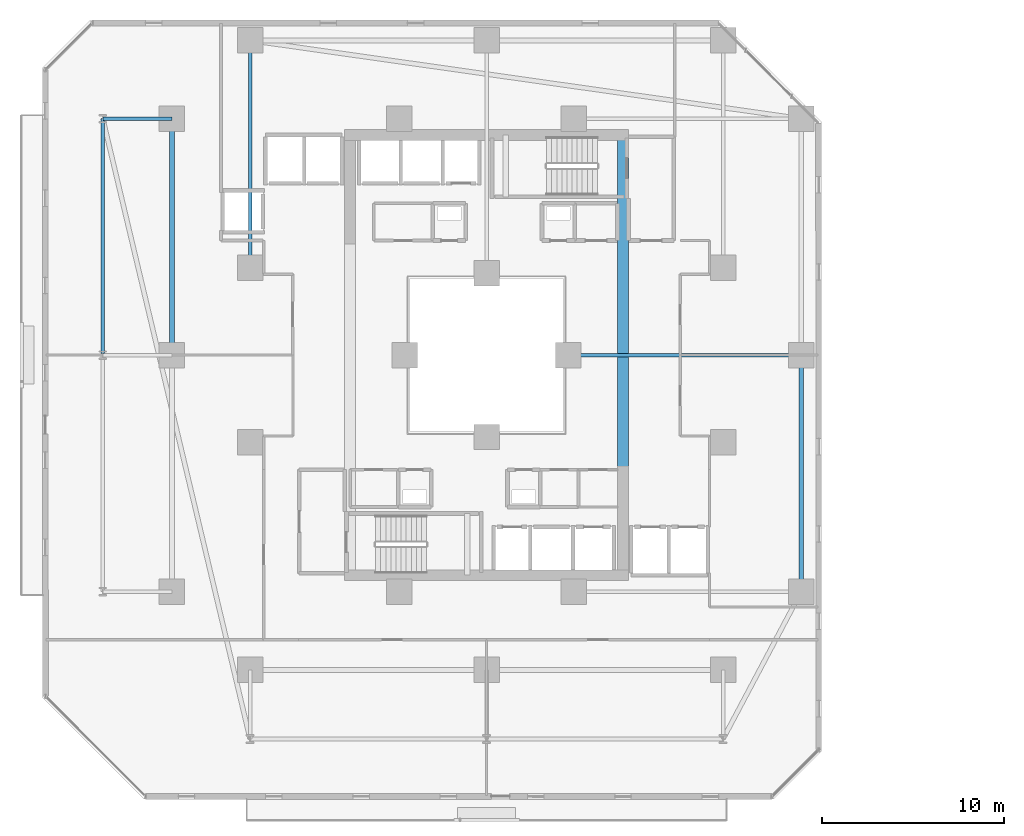
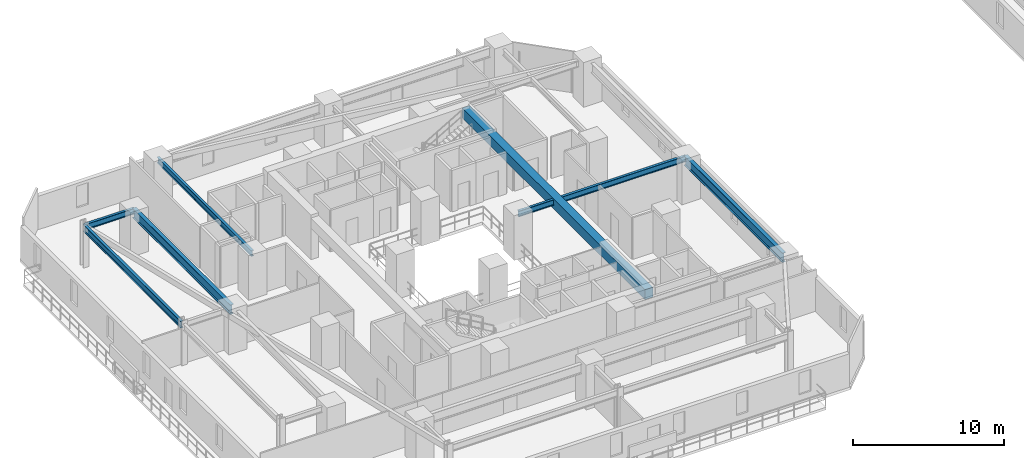
# One storey, part 6 of 33: 7 beams.
"""IFC4 building model written with IfcOpenShell, lengths in metres."""

from ifc_helpers import new_model, si_unit, direction, frame, origin, origin_2d, place, context, subcontext, project, spatial, rectangle, i_section, extrude, material, material_profile, profile_set, type_object, element, save


model = new_model("IFC4")

# Units and contexts
model_context = context("Model", 3, precision=1e-05, world=origin(), true_north=direction((0.0, 1.0)))
body_context = subcontext(model_context, "Body", "Model", "MODEL_VIEW")
ifc_project = project(units=[si_unit("LENGTHUNIT", "METRE"), si_unit("AREAUNIT", "SQUARE_METRE"), si_unit("VOLUMEUNIT", "CUBIC_METRE"), si_unit("PLANEANGLEUNIT", "RADIAN"), si_unit("MASSUNIT", "GRAM", prefix="KILO")], contexts=[model_context])

# Site, building, storey
site_placement = place(None, origin())
site = spatial("IfcSite", under=ifc_project, at=site_placement, CompositionType="ELEMENT")
building_placement = place(site_placement, origin())
building = spatial("IfcBuilding", under=site, at=building_placement, Name="Thornwick Lancets Civic Towers", CompositionType="ELEMENT")
storey_placement = place(building_placement, frame((0.0, 0.0, 35.10009765625)))
storey = spatial("IfcBuildingStorey", under=building, at=storey_placement, Name="L08", CompositionType="ELEMENT", Elevation=35.10009765625)

# Beams
ifc_material_1 = material(Name="Concrete C60/75", Category="concrete")
ifc_material_profile_1 = material_profile(ifc_material_1, rectangle(XDim=0.60009765625, YDim=0.800048828125, at=origin_2d()), Name="RC 600x800")
ifc_profile_set_1 = profile_set([ifc_material_profile_1], Name="Concrete C60/75")
beam_type_1 = type_object("IfcBeamType", Name="BM_COUP_RC800", PredefinedType="BEAM", material=ifc_profile_set_1)
beam_1_placement = place(storey_placement, frame((33.0, 14.89990234375, 2.9599609375), z_axis=(0.0, 1.0, 0.0), x_axis=(-1.0, 0.0, 0.0)))
element("IfcBeam", 1, at=beam_1_placement, inside=storey, type_object=beam_type_1, Name="CB-L08-A1", PredefinedType="BEAM", context=body_context, shape_type="SweptSolid", body=[
    extrude(rectangle(XDim=0.60009765625, YDim=0.800048828125, at=origin_2d()), origin(), (0.0, 0.0, 1.0), 24.2001953125),
])
ifc_material_2 = material(Name="Steel S355JR", Category="steel")
ifc_material_profile_2 = material_profile(ifc_material_2, i_section(OverallWidth=0.2119140625, OverallDepth=0.54443359375, WebThickness=0.0126953125, FlangeThickness=0.021240234375, FilletRadius=0.0126953125, at=origin_2d()), Name="UKB 533x210x122")
ifc_profile_set_2 = profile_set([ifc_material_profile_2], Name="Steel S355JR")
beam_type_2 = type_object("IfcBeamType", Name="BM_EDGE_533_122", PredefinedType="SPANDREL", material=ifc_profile_set_2)
beam_2_placement = place(storey_placement, frame((4.39990234375, 27.080078125, 3.087646484375), z_axis=(0.0, 1.0, 0.0), x_axis=(-1.0, 0.0, 0.0)))
element("IfcBeam", 2, at=beam_2_placement, inside=storey, type_object=beam_type_2, Name="BM-EDGE-L08-A-S3-2", PredefinedType="SPANDREL", context=body_context, shape_type="SweptSolid", body=[
    extrude(i_section(OverallWidth=0.2119140625, OverallDepth=0.54443359375, WebThickness=0.0126953125, FlangeThickness=0.021240234375, FilletRadius=0.0126953125, at=origin_2d()), origin(), (0.0, 0.0, 1.0), 12.919921875),
])
ifc_material_profile_3 = material_profile(ifc_material_2, i_section(OverallWidth=0.26806640625, OverallDepth=0.769775390625, WebThickness=0.015625, FlangeThickness=0.025390625, FilletRadius=0.0166015625, at=origin_2d()), Name="UKB 762x267x197")
ifc_profile_set_3 = profile_set([ifc_material_profile_3], Name="Steel S355JR")
beam_type_3 = type_object("IfcBeamType", Name="BM_GIRD_762_197", PredefinedType="BEAM", material=ifc_profile_set_3)
beam_3_placement = place(storey_placement, frame((42.800048828125, 14.0, 2.97509765625), z_axis=(0.0, 1.0, 0.0), x_axis=(-1.0, 0.0, 0.0)))
element("IfcBeam", 3, at=beam_3_placement, inside=storey, type_object=beam_type_3, Name="BM-SPINE-L08-A-3-4", PredefinedType="BEAM", context=body_context, shape_type="SweptSolid", body=[
    extrude(i_section(OverallWidth=0.26806640625, OverallDepth=0.769775390625, WebThickness=0.015625, FlangeThickness=0.025390625, FilletRadius=0.0166015625, at=origin_2d()), origin(), (0.0, 0.0, 1.0), 13.0),
])
beam_4_placement = place(storey_placement, frame((8.199951171875, 27.080078125, 2.97509765625), z_axis=(0.0, 1.0, 0.0), x_axis=(-1.0, 0.0, 0.0)))
element("IfcBeam", 4, at=beam_4_placement, inside=storey, type_object=beam_type_3, Name="BM-SPINE-L08-A-10-11", PredefinedType="BEAM", context=body_context, shape_type="SweptSolid", body=[
    extrude(i_section(OverallWidth=0.26806640625, OverallDepth=0.769775390625, WebThickness=0.015625, FlangeThickness=0.025390625, FilletRadius=0.0166015625, at=origin_2d()), origin(), (0.0, 0.0, 1.0), 12.919921875),
])
ifc_material_profile_4 = material_profile(ifc_material_2, i_section(OverallWidth=0.19287109375, OverallDepth=0.46728515625, WebThickness=0.011474609375, FlangeThickness=0.01953125, FilletRadius=0.01025390625, at=origin_2d()), Name="UKB 457x191x98")
ifc_profile_set_4 = profile_set([ifc_material_profile_4], Name="Steel S355JR")
beam_type_4 = type_object("IfcBeamType", Name="BM_JOIST_457_98", PredefinedType="JOIST", material=ifc_profile_set_4)
beam_5_placement = place(storey_placement, frame((30.0, 27.0, 3.126220703125), z_axis=(1.0, 0.0, 0.0), x_axis=(0.0, 1.0, 0.0)))
element("IfcBeam", 5, at=beam_5_placement, inside=storey, type_object=beam_type_4, Name="BM-RADIN-L08-A05", PredefinedType="JOIST", context=body_context, shape_type="SweptSolid", body=[
    extrude(i_section(OverallWidth=0.19287109375, OverallDepth=0.46728515625, WebThickness=0.011474609375, FlangeThickness=0.01953125, FilletRadius=0.01025390625, at=origin_2d()), origin(), (0.0, 0.0, 1.0), 12.800048828125),
])
beam_6_placement = place(storey_placement, frame((12.5, 31.800048828125, 3.126220703125), z_axis=(0.0, 1.0, 0.0), x_axis=(-1.0, 0.0, 0.0)))
element("IfcBeam", 6, at=beam_6_placement, inside=storey, type_object=beam_type_4, Name="BM-RADIN-L08-A07", PredefinedType="JOIST", context=body_context, shape_type="SweptSolid", body=[
    extrude(i_section(OverallWidth=0.19287109375, OverallDepth=0.46728515625, WebThickness=0.011474609375, FlangeThickness=0.01953125, FilletRadius=0.01025390625, at=origin_2d()), origin(), (0.0, 0.0, 1.0), 12.5),
])
beam_7_placement = place(storey_placement, frame((8.199951171875, 40.0, 3.126220703125), z_axis=(-1.0, 0.0, 0.0), x_axis=(0.0, -1.0, 0.0)))
element("IfcBeam", 7, at=beam_7_placement, inside=storey, type_object=beam_type_4, Name="BM-RAD-L08-A12", PredefinedType="JOIST", context=body_context, shape_type="SweptSolid", body=[
    extrude(i_section(OverallWidth=0.19287109375, OverallDepth=0.46728515625, WebThickness=0.011474609375, FlangeThickness=0.01953125, FilletRadius=0.01025390625, at=origin_2d()), origin(), (0.0, 0.0, 1.0), 3.800048828125),
])

save(model, "model.ifc")
